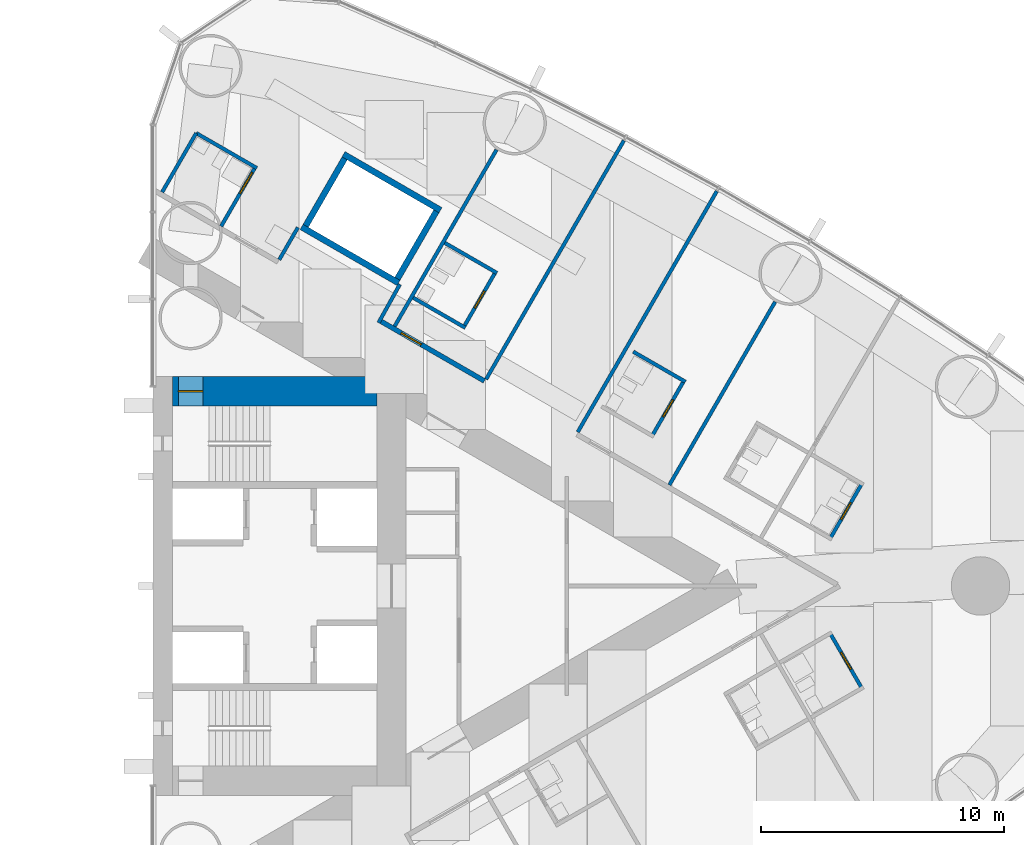
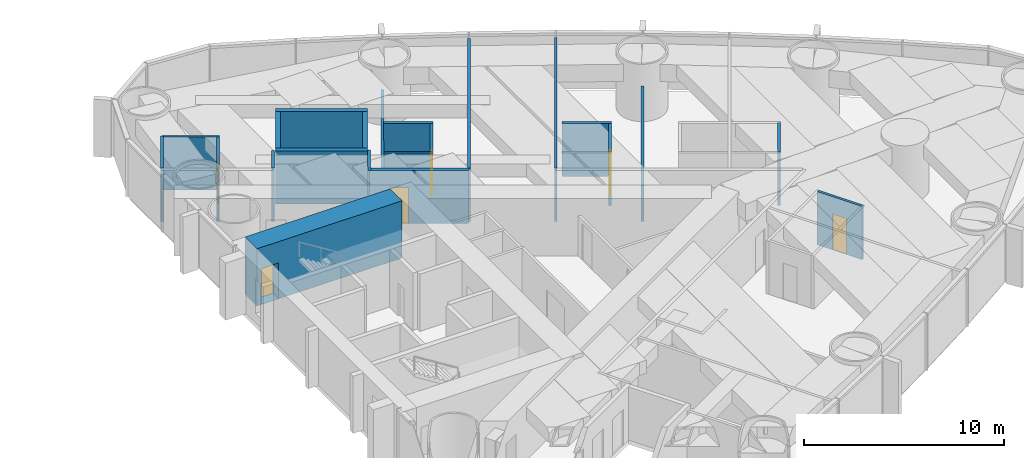
# One storey, part 16 of 19: 22 walls, 7 doors, 7 openings.
"""IFC4 building model written with IfcOpenShell, lengths in metres."""

from ifc_helpers import new_model, si_unit, direction, frame, frame_2d, origin, place, context, subcontext, project, spatial, rectangle, extrude, material, layer, layer_set, type_object, element, fill, save


model = new_model("IFC4")

# Units and contexts
model_context = context("Model", 3, precision=1e-05, world=origin(), true_north=direction((0.0, 1.0)))
body_context = subcontext(model_context, "Body", "Model", "MODEL_VIEW")
ifc_project = project(units=[si_unit("LENGTHUNIT", "METRE"), si_unit("AREAUNIT", "SQUARE_METRE"), si_unit("VOLUMEUNIT", "CUBIC_METRE"), si_unit("PLANEANGLEUNIT", "RADIAN"), si_unit("MASSUNIT", "GRAM", prefix="KILO")], contexts=[model_context])

# Site, building, storey
site_placement = place(None, origin())
site = spatial("IfcSite", under=ifc_project, at=site_placement, CompositionType="ELEMENT")
building_placement = place(site_placement, origin())
building = spatial("IfcBuilding", under=site, at=building_placement, Name="Lancet Gate Hotel", CompositionType="ELEMENT")
storey_placement = place(building_placement, frame((0.0, 0.0, 111.60009765625)))
storey = spatial("IfcBuildingStorey", under=building, at=storey_placement, Name="L29", CompositionType="ELEMENT", Elevation=111.60009765625)

# Wall, opening, door
ifc_material_1 = material(Name="Moisture resistant board partition")
ifc_layer_1 = layer(ifc_material_1, 0.14990234375)
ifc_layer_set_1 = layer_set([ifc_layer_1], Name="Bathroom wall 150")
wall_type_1 = type_object("IfcWallType", Name="Bathroom wall 150", PredefinedType="PARTITIONING", material=ifc_layer_set_1)
wall_1_placement = place(storey_placement, frame((55.32470703125, -1.949951171875, 0.0), z_axis=(0.0, 0.0, 1.0), x_axis=(0.500006934395, -0.866021400173, 0.0)))
wall_1 = element("IfcWall", 1, at=wall_1_placement, inside=storey, type_object=wall_type_1, Name="T2 bathroom wall 150 L29", PredefinedType="PARTITIONING", context=body_context, shape_type="SweptSolid", body=[
    extrude(rectangle(XDim=2.60009765625, YDim=0.14990234375, at=frame_2d((1.300048828125, 0.0))), origin(), (0.0, 0.0, 1.0), 3.25),
])
opening_1_placement = place(wall_1_placement, frame((0.89990234375, 0.0, 0.0)))
opening_1 = element("IfcOpeningElement", 2, at=opening_1_placement, cuts=wall_1, Name="Opening 2957-B", PredefinedType="OPENING", context=body_context, shape_type="SweptSolid", body=[
    extrude(rectangle(XDim=0.800048828125, YDim=2.199951171875, at=frame_2d((0.39990234375, 1.10009765625))), frame((0.0, 0.0849609375, 0.0), z_axis=(0.0, -1.0, 0.0), x_axis=(1.0, 0.0, 0.0)), (0.0, 0.0, 1.0), 0.169921875),
])
ifc_material_2 = material(Name="Timber door set", Category="wood")
door_type_1 = type_object("IfcDoorType", Name="Bathroom door 800", OperationType="SINGLE_SWING_RIGHT", PredefinedType="DOOR", material=ifc_material_2)
door_1_placement = place(opening_1_placement, origin())
door_1 = element("IfcDoor", 3, at=door_1_placement, inside=storey, type_object=door_type_1, Name="2957-B", OperationType="SINGLE_SWING_RIGHT", OverallHeight=2.199951171875, OverallWidth=0.800048828125, PredefinedType="DOOR", context=body_context, shape_type="SweptSolid", body=[
    extrude(rectangle(XDim=0.800048828125, YDim=2.199951171875, at=frame_2d((0.39990234375, 1.10009765625))), frame((0.0, 0.02490234375, 0.0), z_axis=(0.0, -1.0, 0.0), x_axis=(1.0, 0.0, 0.0)), (0.0, 0.0, 1.0), 0.050048828125),
])
fill(opening_1, door_1)

wall_2_placement = place(storey_placement, frame((55.32470703125, 1.949951171875, 0.0), z_axis=(0.0, 0.0, 1.0), x_axis=(0.500006934395, 0.866021400173, 0.0)))
wall_2 = element("IfcWall", 4, at=wall_2_placement, inside=storey, type_object=wall_type_1, Name="T2 bathroom wall 150 L29", PredefinedType="PARTITIONING", context=body_context, shape_type="SweptSolid", body=[
    extrude(rectangle(XDim=2.60009765625, YDim=0.14990234375, at=frame_2d((1.300048828125, 0.0))), origin(), (0.0, 0.0, 1.0), 3.25),
])
opening_2_placement = place(wall_2_placement, frame((0.89990234375, 0.0, 0.0)))
opening_2 = element("IfcOpeningElement", 5, at=opening_2_placement, cuts=wall_2, Name="Opening 2958-B", PredefinedType="OPENING", context=body_context, shape_type="SweptSolid", body=[
    extrude(rectangle(XDim=0.800048828125, YDim=2.199951171875, at=frame_2d((0.39990234375, 1.10009765625))), frame((0.0, 0.0849609375, 0.0), z_axis=(0.0, -1.0, 0.0), x_axis=(1.0, 0.0, 0.0)), (0.0, 0.0, 1.0), 0.169921875),
])
door_2_placement = place(opening_2_placement, origin())
door_2 = element("IfcDoor", 6, at=door_2_placement, inside=storey, type_object=door_type_1, Name="2958-B", OperationType="SINGLE_SWING_RIGHT", OverallHeight=2.199951171875, OverallWidth=0.800048828125, PredefinedType="DOOR", context=body_context, shape_type="SweptSolid", body=[
    extrude(rectangle(XDim=0.800048828125, YDim=2.199951171875, at=frame_2d((0.39990234375, 1.10009765625))), frame((0.0, 0.02490234375, 0.0), z_axis=(0.0, -1.0, 0.0), x_axis=(1.0, 0.0, 0.0)), (0.0, 0.0, 1.0), 0.050048828125),
])
fill(opening_2, door_2)

# Wall
wall_3_placement = place(storey_placement, frame((47.235107421875, 9.622802734375, 0.0), z_axis=(0.0, 0.0, 1.0), x_axis=(0.866006523861, -0.500032699561, 0.0)))
element("IfcWall", 7, at=wall_3_placement, inside=storey, type_object=wall_type_1, Name="T2 bathroom wall 150 L29", PredefinedType="PARTITIONING", context=body_context, shape_type="SweptSolid", body=[
    extrude(rectangle(XDim=2.474853515625, YDim=0.14990234375, at=frame_2d((1.2373046875, 0.0))), origin(), (0.0, 0.0, 1.0), 3.25),
])

# Wall, opening, door
wall_4_placement = place(storey_placement, frame((48.013427734375, 6.171142578125, 0.0), z_axis=(0.0, 0.0, 1.0), x_axis=(0.500006934395, 0.866021400173, 0.0)))
wall_4 = element("IfcWall", 8, at=wall_4_placement, inside=storey, type_object=wall_type_1, Name="T2 bathroom wall 150 L29", PredefinedType="PARTITIONING", context=body_context, shape_type="SweptSolid", body=[
    extrude(rectangle(XDim=2.60009765625, YDim=0.14990234375, at=frame_2d((1.300048828125, 0.0))), origin(), (0.0, 0.0, 1.0), 3.25),
])
opening_3_placement = place(wall_4_placement, frame((0.89990234375, 0.0, 0.0)))
opening_3 = element("IfcOpeningElement", 9, at=opening_3_placement, cuts=wall_4, Name="Opening 2960-B", PredefinedType="OPENING", context=body_context, shape_type="SweptSolid", body=[
    extrude(rectangle(XDim=0.800048828125, YDim=2.199951171875, at=frame_2d((0.39990234375, 1.10009765625))), frame((0.0, 0.0849609375, 0.0), z_axis=(0.0, -1.0, 0.0), x_axis=(1.0, 0.0, 0.0)), (0.0, 0.0, 1.0), 0.169921875),
])
door_3_placement = place(opening_3_placement, origin())
door_3 = element("IfcDoor", 10, at=door_3_placement, inside=storey, type_object=door_type_1, Name="2960-B", OperationType="SINGLE_SWING_RIGHT", OverallHeight=2.199951171875, OverallWidth=0.800048828125, PredefinedType="DOOR", context=body_context, shape_type="SweptSolid", body=[
    extrude(rectangle(XDim=0.800048828125, YDim=2.199951171875, at=frame_2d((0.39990234375, 1.10009765625))), frame((0.0, 0.02490234375, 0.0), z_axis=(0.0, -1.0, 0.0), x_axis=(1.0, 0.0, 0.0)), (0.0, 0.0, 1.0), 0.050048828125),
])
fill(opening_3, door_3)

# Wall
wall_5_placement = place(storey_placement, frame((39.4951171875, 14.091552734375, 0.0), z_axis=(0.0, 0.0, 1.0), x_axis=(0.866006523861, -0.500032699561, 0.0)))
element("IfcWall", 11, at=wall_5_placement, inside=storey, type_object=wall_type_1, Name="T2 bathroom wall 150 L29", PredefinedType="PARTITIONING", context=body_context, shape_type="SweptSolid", body=[
    extrude(rectangle(XDim=2.474853515625, YDim=0.14990234375, at=frame_2d((1.2373046875, 0.0))), origin(), (0.0, 0.0, 1.0), 3.25),
])

# Wall, opening, door
wall_6_placement = place(storey_placement, frame((40.273681640625, 10.639892578125, 0.0), z_axis=(0.0, 0.0, 1.0), x_axis=(0.49997716683, 0.86603858612, 0.0)))
wall_6 = element("IfcWall", 12, at=wall_6_placement, inside=storey, type_object=wall_type_1, Name="T2 bathroom wall 150 L29", PredefinedType="PARTITIONING", context=body_context, shape_type="SweptSolid", body=[
    extrude(rectangle(XDim=2.599609375, YDim=0.14990234375, at=frame_2d((1.2998046875, 0.0))), origin(), (0.0, 0.0, 1.0), 3.25),
])
opening_4_placement = place(wall_6_placement, frame((0.89990234375, 0.0, 0.0)))
opening_4 = element("IfcOpeningElement", 13, at=opening_4_placement, cuts=wall_6, Name="Opening 2962-B", PredefinedType="OPENING", context=body_context, shape_type="SweptSolid", body=[
    extrude(rectangle(XDim=0.800048828125, YDim=2.199951171875, at=frame_2d((0.39990234375, 1.10009765625))), frame((0.0, 0.0849609375, 0.0), z_axis=(0.0, -1.0, 0.0), x_axis=(1.0, 0.0, 0.0)), (0.0, 0.0, 1.0), 0.169921875),
])
door_4_placement = place(opening_4_placement, origin())
door_4 = element("IfcDoor", 14, at=door_4_placement, inside=storey, type_object=door_type_1, Name="2962-B", OperationType="SINGLE_SWING_RIGHT", OverallHeight=2.199951171875, OverallWidth=0.800048828125, PredefinedType="DOOR", context=body_context, shape_type="SweptSolid", body=[
    extrude(rectangle(XDim=0.800048828125, YDim=2.199951171875, at=frame_2d((0.39990234375, 1.10009765625))), frame((0.0, 0.02490234375, 0.0), z_axis=(0.0, -1.0, 0.0), x_axis=(1.0, 0.0, 0.0)), (0.0, 0.0, 1.0), 0.050048828125),
])
fill(opening_4, door_4)

# Walls
wall_7_placement = place(storey_placement, frame((38.195068359375, 11.83984375, 0.0), z_axis=(0.0, 0.0, 1.0), x_axis=(0.866031185235, -0.4999899861, 0.0)))
element("IfcWall", 15, at=wall_7_placement, inside=storey, type_object=wall_type_1, Name="T2 bathroom wall 150 L29", PredefinedType="PARTITIONING", context=body_context, shape_type="SweptSolid", body=[
    extrude(rectangle(XDim=2.47509765625, YDim=0.14990234375, at=frame_2d((1.237548828125, 0.0))), origin(), (0.0, 0.0, 1.0), 3.25),
])
wall_8_placement = place(storey_placement, frame((29.281982421875, 18.6025390625, 0.0), z_axis=(0.0, 0.0, 1.0), x_axis=(0.866018712932, -0.500011588718, 0.0)))
element("IfcWall", 16, at=wall_8_placement, inside=storey, type_object=wall_type_1, Name="T2 bathroom wall 150 L29", PredefinedType="PARTITIONING", context=body_context, shape_type="SweptSolid", body=[
    extrude(rectangle(XDim=2.875, YDim=0.14990234375, at=frame_2d((1.4375, 0.0))), origin(), (0.0, 0.0, 1.0), 3.25),
])

# Wall, opening, door
wall_9_placement = place(storey_placement, frame((30.306640625, 14.777587890625, 0.0), z_axis=(0.0, 0.0, 1.0), x_axis=(0.500049511043, 0.865996816683, 0.0)))
wall_9 = element("IfcWall", 17, at=wall_9_placement, inside=storey, type_object=wall_type_1, Name="T2 bathroom wall 150 L29", PredefinedType="PARTITIONING", context=body_context, shape_type="SweptSolid", body=[
    extrude(rectangle(XDim=2.800048828125, YDim=0.14990234375, at=frame_2d((1.39990234375, 0.0))), origin(), (0.0, 0.0, 1.0), 3.25),
])
opening_5_placement = place(wall_9_placement, frame((1.550048828125, 0.0, 0.0)))
opening_5 = element("IfcOpeningElement", 18, at=opening_5_placement, cuts=wall_9, Name="Opening 2963-B", PredefinedType="OPENING", context=body_context, shape_type="SweptSolid", body=[
    extrude(rectangle(XDim=1.0, YDim=2.199951171875, at=frame_2d((0.5, 1.10009765625))), frame((0.0, 0.0849609375, 0.0), z_axis=(0.0, -1.0, 0.0), x_axis=(1.0, 0.0, 0.0)), (0.0, 0.0, 1.0), 0.169921875),
])
ifc_material_3 = material(Name="Timber door set", Category="wood")
door_type_2 = type_object("IfcDoorType", Name="Accessible en-suite door 1000", OperationType="SINGLE_SWING_RIGHT", PredefinedType="DOOR", material=ifc_material_3)
door_5_placement = place(opening_5_placement, origin())
door_5 = element("IfcDoor", 19, at=door_5_placement, inside=storey, type_object=door_type_2, Name="2963-B", OperationType="SINGLE_SWING_RIGHT", OverallHeight=2.199951171875, OverallWidth=1.0, PredefinedType="DOOR", context=body_context, shape_type="SweptSolid", body=[
    extrude(rectangle(XDim=1.0, YDim=2.199951171875, at=frame_2d((0.5, 1.10009765625))), frame((0.0, 0.02490234375, 0.0), z_axis=(0.0, -1.0, 0.0), x_axis=(1.0, 0.0, 0.0)), (0.0, 0.0, 1.0), 0.050048828125),
])
fill(opening_5, door_5)

# Wall
wall_10_placement = place(storey_placement, frame((27.8818359375, 16.177490234375, 0.0), z_axis=(0.0, 0.0, 1.0), x_axis=(0.500011755427, 0.866018616679, 0.0)))
element("IfcWall", 20, at=wall_10_placement, inside=storey, type_object=wall_type_1, Name="T2 bathroom wall 150 L29", PredefinedType="PARTITIONING", context=body_context, shape_type="SweptSolid", body=[
    extrude(rectangle(XDim=2.80029296875, YDim=0.14990234375, at=frame_2d((1.400146484375, 0.0))), origin(), (0.0, 0.0, 1.0), 3.25),
])

# Wall, opening, door
ifc_material_4 = material(Name="Concrete C70/85", Category="concrete")
ifc_layer_2 = layer(ifc_material_4, 1.199951171875)
ifc_layer_set_2 = layer_set([ifc_layer_2], Name="Core wall 1200")
wall_type_2 = type_object("IfcWallType", Name="Core wall 1200", PredefinedType="SHEAR", material=ifc_layer_set_2)
wall_11_placement = place(storey_placement, frame((28.300048828125, 8.0, 0.0), z_axis=(0.0, 0.0, 1.0), x_axis=(1.0, 0.0, 0.0)))
wall_11 = element("IfcWall", 21, at=wall_11_placement, inside=storey, type_object=wall_type_2, Name="T2 core wall side-N L29", PredefinedType="SHEAR", context=body_context, shape_type="SweptSolid", body=[
    extrude(rectangle(XDim=8.39990234375, YDim=1.199951171875, at=frame_2d((4.199951171875, 0.0))), origin(), (0.0, 0.0, 1.0), 3.5),
])
opening_6_placement = place(wall_11_placement, frame((0.25, 0.0, 0.0)))
opening_6 = element("IfcOpeningElement", 22, at=opening_6_placement, cuts=wall_11, Name="Opening T2-L29-ST2", PredefinedType="OPENING", context=body_context, shape_type="SweptSolid", body=[
    extrude(rectangle(XDim=1.0, YDim=2.199951171875, at=frame_2d((0.5, 1.10009765625))), frame((0.0, 0.60986328125, 0.0), z_axis=(0.0, -1.0, 0.0), x_axis=(1.0, 0.0, 0.0)), (0.0, 0.0, 1.0), 1.219970703125),
])
ifc_material_5 = material(Name="Timber door set", Category="wood")
door_type_3 = type_object("IfcDoorType", Name="Stair door 1000", OperationType="SINGLE_SWING_RIGHT", PredefinedType="DOOR", material=ifc_material_5)
door_6_placement = place(opening_6_placement, origin())
door_6 = element("IfcDoor", 23, at=door_6_placement, inside=storey, type_object=door_type_3, Name="T2-L29-ST2", OperationType="SINGLE_SWING_RIGHT", OverallHeight=2.199951171875, OverallWidth=1.0, PredefinedType="DOOR", context=body_context, shape_type="SweptSolid", body=[
    extrude(rectangle(XDim=1.0, YDim=2.199951171875, at=frame_2d((0.5, 1.10009765625))), frame((0.0, 0.02490234375, 0.0), z_axis=(0.0, -1.0, 0.0), x_axis=(1.0, 0.0, 0.0)), (0.0, 0.0, 1.0), 0.050048828125),
])
fill(opening_6, door_6)

ifc_material_6 = material(Name="Gypsum board partition")
ifc_layer_3 = layer(ifc_material_6, 0.199951171875)
ifc_layer_set_3 = layer_set([ifc_layer_3], Name="Corridor wall 200")
wall_type_3 = type_object("IfcWallType", Name="Corridor wall 200", PredefinedType="PARTITIONING", material=ifc_layer_set_3)
wall_12_placement = place(storey_placement, frame((36.833984375, 10.8935546875, 0.0), z_axis=(0.0, 0.0, 1.0), x_axis=(0.866032723471, -0.499987321717, 0.0)))
wall_12 = element("IfcWall", 24, at=wall_12_placement, inside=storey, type_object=wall_type_3, Name="T2 corridor wall 200 L29", PredefinedType="PARTITIONING", context=body_context, shape_type="SweptSolid", body=[
    extrude(rectangle(XDim=4.947021484375, YDim=0.199951171875, at=frame_2d((2.4736328125, 0.0))), origin(), (0.0, 0.0, 1.0), 3.25),
])
opening_7_placement = place(wall_12_placement, frame((1.005615234375, 0.0, 0.0)))
opening_7 = element("IfcOpeningElement", 25, at=opening_7_placement, cuts=wall_12, Name="Opening 2962-E", PredefinedType="OPENING", context=body_context, shape_type="SweptSolid", body=[
    extrude(rectangle(XDim=0.949951171875, YDim=2.199951171875, at=frame_2d((0.47509765625, 1.10009765625))), frame((0.0, 0.10986328125, 0.0), z_axis=(0.0, -1.0, 0.0), x_axis=(1.0, 0.0, 0.0)), (0.0, 0.0, 1.0), 0.219970703125),
])
ifc_material_7 = material(Name="Timber door set", Category="wood")
door_type_4 = type_object("IfcDoorType", Name="Guest room entry door 950", OperationType="SINGLE_SWING_LEFT", PredefinedType="DOOR", material=ifc_material_7)
door_7_placement = place(opening_7_placement, origin())
door_7 = element("IfcDoor", 26, at=door_7_placement, inside=storey, type_object=door_type_4, Name="2962-E", OperationType="SINGLE_SWING_LEFT", OverallHeight=2.199951171875, OverallWidth=0.949951171875, PredefinedType="DOOR", context=body_context, shape_type="SweptSolid", body=[
    extrude(rectangle(XDim=0.949951171875, YDim=2.199951171875, at=frame_2d((0.47509765625, 1.10009765625))), frame((0.0, 0.02490234375, 0.0), z_axis=(0.0, -1.0, 0.0), x_axis=(1.0, 0.0, 0.0)), (0.0, 0.0, 1.0), 0.050048828125),
])
fill(opening_7, door_7)

# Walls
ifc_material_8 = material(Name="Gypsum board partition")
ifc_layer_4 = layer(ifc_material_8, 0.25)
ifc_layer_set_4 = layer_set([ifc_layer_4], Name="Lift shaft partition 250")
wall_type_4 = type_object("IfcWallType", Name="Lift shaft partition 250", PredefinedType="PARTITIONING", material=ifc_layer_set_4)
for number, where, z_axis, x_axis, name in (
    (27, (33.6083984375, 14.747314453125, 0.0), (0.0, 0.0, 1.0), (0.866043305498, -0.49996899204, 0.0), "T2 lift shaft wall EX L29"),
    (28, (35.33349609375, 17.73583984375, 0.0), (0.0, 0.0, 1.0), (0.866043305498, -0.49996899204, 0.0), "T2 lift shaft wall EX L29"),
):
    element("IfcWall", number, at=place(storey_placement, frame(where, z_axis=z_axis, x_axis=x_axis)), inside=storey, type_object=wall_type_4, Name=name, PredefinedType="PARTITIONING", context=body_context, shape_type="SweptSolid", body=[
        extrude(rectangle(XDim=4.600341796875, YDim=0.25, at=frame_2d((2.30029296875, 0.0))), origin(), (0.0, 0.0, 1.0), 3.25),
    ])
for number, where, z_axis, x_axis, name in (
    (29, (33.779296875, 14.79296875, 0.0), (0.0, 0.0, 1.0), (0.499929347863, 0.866066190972, 0.0), "T2 lift shaft wall EX L29"),
    (30, (37.546630859375, 12.617919921875, 0.0), (0.0, 0.0, 1.0), (0.499929347863, 0.866066190972, 0.0), "T2 lift shaft wall EX L29"),
):
    element("IfcWall", number, at=place(storey_placement, frame(where, z_axis=z_axis, x_axis=x_axis)), inside=storey, type_object=wall_type_4, Name=name, PredefinedType="PARTITIONING", context=body_context, shape_type="SweptSolid", body=[
        extrude(rectangle(XDim=3.20068359375, YDim=0.25, at=frame_2d((1.600341796875, 0.0))), origin(), (0.0, 0.0, 1.0), 3.25),
    ])
ifc_material_9 = material(Name="Gypsum board partition")
ifc_layer_5 = layer(ifc_material_9, 0.14990234375)
ifc_layer_set_5 = layer_set([ifc_layer_5], Name="Party wall 150")
wall_type_5 = type_object("IfcWallType", Name="Party wall 150", PredefinedType="PARTITIONING", material=ifc_layer_set_5)
wall_13_placement = place(storey_placement, frame((37.43017578125, 10.664794921875, 0.0), z_axis=(0.0, 0.0, 1.0), x_axis=(0.499989991081, 0.866031182359, 0.0)))
element("IfcWall", 31, at=wall_13_placement, inside=storey, type_object=wall_type_5, Name="T2 party wall 150 L29", PredefinedType="PARTITIONING", context=body_context, shape_type="SweptSolid", body=[
    extrude(rectangle(XDim=8.373291015625, YDim=0.14990234375, at=frame_2d((4.1865234375, 0.0))), origin(), (0.0, 0.0, 1.0), 2.199951171875),
])
wall_14_placement = place(storey_placement, frame((41.18994140625, 8.494140625, 0.0), z_axis=(0.0, 0.0, 1.0), x_axis=(0.49999258054, 0.866029687369, 0.0)))
element("IfcWall", 32, at=wall_14_placement, inside=storey, type_object=wall_type_5, Name="T2 party wall 150 L29", PredefinedType="PARTITIONING", context=body_context, shape_type="SweptSolid", body=[
    extrude(rectangle(XDim=11.318115234375, YDim=0.14990234375, at=frame_2d((5.6591796875, 0.0))), origin(), (0.0, 0.0, 1.0), 3.25),
])
wall_15_placement = place(storey_placement, frame((44.95361328125, 6.3212890625, 0.0), z_axis=(0.0, 0.0, 1.0), x_axis=(0.500009815811, 0.866019736549, 0.0)))
element("IfcWall", 33, at=wall_15_placement, inside=storey, type_object=wall_type_5, Name="T2 party wall 150 L29", PredefinedType="PARTITIONING", context=body_context, shape_type="SweptSolid", body=[
    extrude(rectangle(XDim=11.423583984375, YDim=0.14990234375, at=frame_2d((5.7119140625, 0.0))), origin(), (0.0, 0.0, 1.0), 3.25),
])
wall_16_placement = place(storey_placement, frame((48.718505859375, 4.1474609375, 0.0), z_axis=(0.0, 0.0, 1.0), x_axis=(0.499993328235, 0.866029255696, 0.0)))
element("IfcWall", 34, at=wall_16_placement, inside=storey, type_object=wall_type_5, Name="T2 party wall 150 L29", PredefinedType="PARTITIONING", context=body_context, shape_type="SweptSolid", body=[
    extrude(rectangle(XDim=8.68603515625, YDim=0.14990234375, at=frame_2d((4.343017578125, 0.0))), origin(), (0.0, 0.0, 1.0), 2.199951171875),
])
ifc_material_10 = material(Name="Gypsum board partition")
ifc_layer_6 = layer(ifc_material_10, 0.14990234375)
ifc_layer_set_6 = layer_set([ifc_layer_6], Name="Service room wall 150")
wall_type_6 = type_object("IfcWallType", Name="Service room wall 150", PredefinedType="PARTITIONING", material=ifc_layer_set_6)
wall_17_placement = place(storey_placement, frame((36.77099609375, 10.814453125, 0.0), z_axis=(0.0, 0.0, 1.0), x_axis=(0.485585508183, 0.874189175317, 0.0)))
element("IfcWall", 35, at=wall_17_placement, inside=storey, type_object=wall_type_6, Name="T2 service room wall 150 L29", PredefinedType="PARTITIONING", context=body_context, shape_type="SweptSolid", body=[
    extrude(rectangle(XDim=1.804931640625, YDim=0.14990234375, at=frame_2d((0.90234375, 0.0))), origin(), (0.0, 0.0, 1.0), 3.25),
])
wall_18_placement = place(storey_placement, frame((32.6923828125, 13.400390625, 0.0), z_axis=(0.0, 0.0, 1.0), x_axis=(0.499985008713, 0.866034058835, 0.0)))
element("IfcWall", 36, at=wall_18_placement, inside=storey, type_object=wall_type_6, Name="T2 service room wall 150 L29", PredefinedType="PARTITIONING", context=body_context, shape_type="SweptSolid", body=[
    extrude(rectangle(XDim=1.529296875, YDim=0.14990234375, at=frame_2d((0.7646484375, 0.0))), origin(), (0.0, 0.0, 1.0), 3.25),
])

save(model, "model.ifc")
